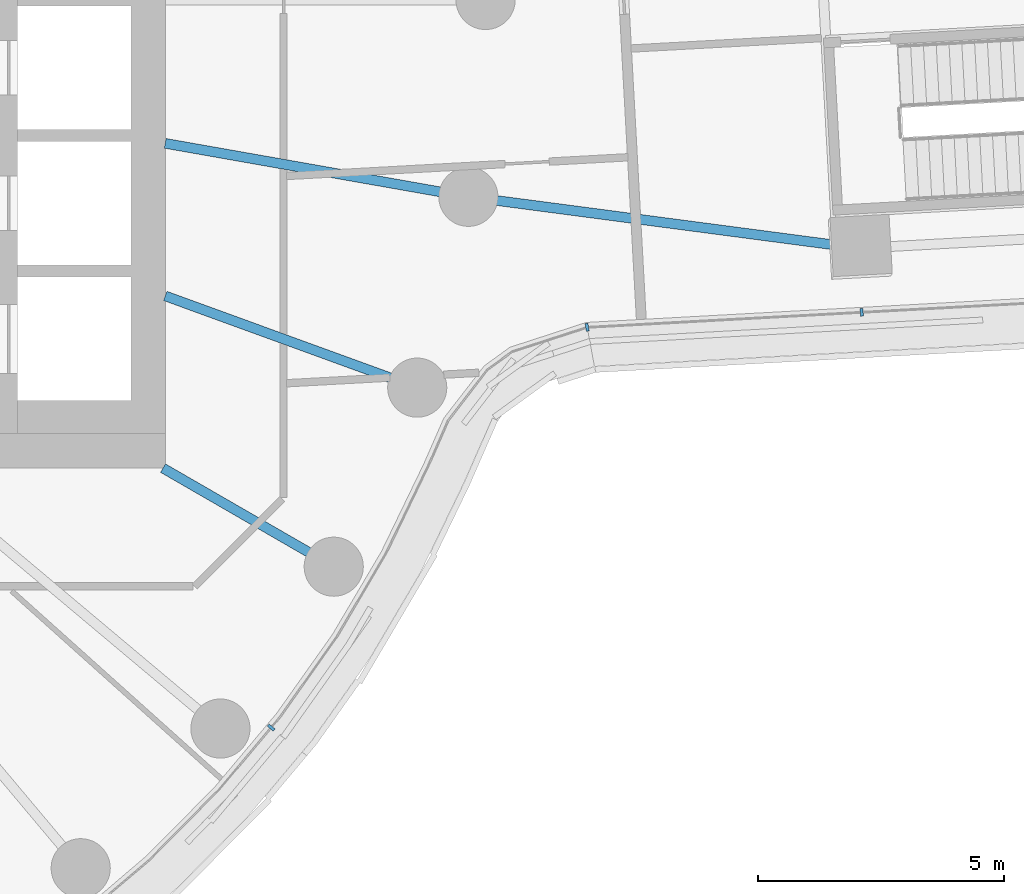
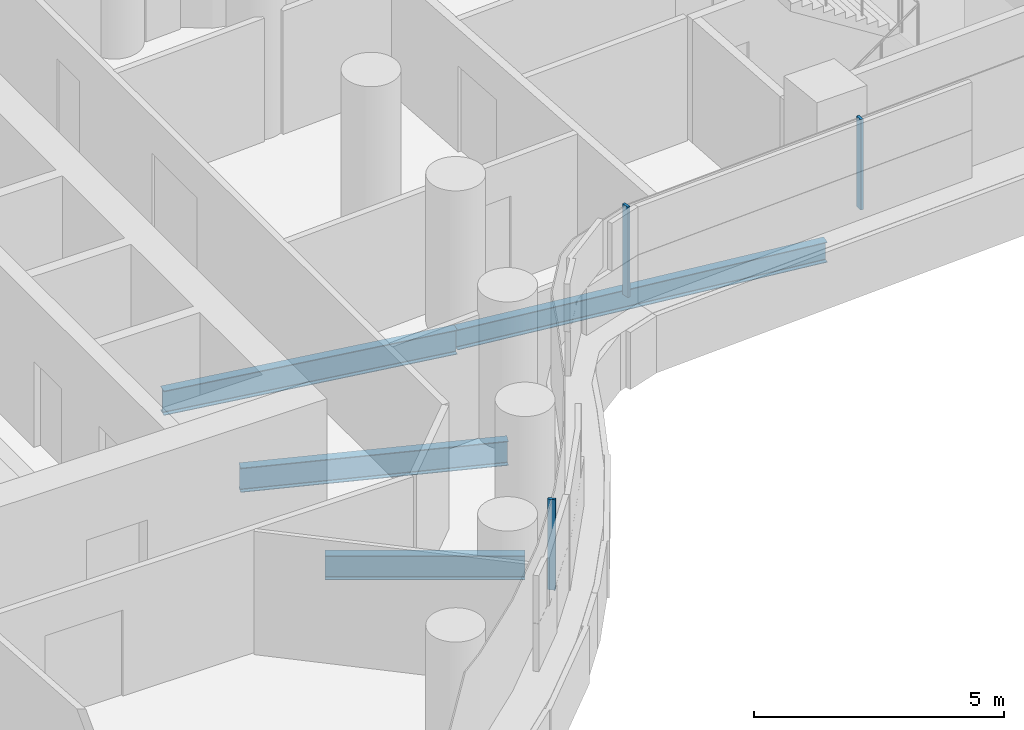
# One storey, part 9 of 31: 4 beams, 3 members, 2 elements without a shape of their own.
"""IFC4 building model written with IfcOpenShell, lengths in metres."""

from ifc_helpers import new_model, si_unit, direction, frame, origin, origin_2d, place, context, subcontext, project, spatial, rectangle, i_section, extrude, material, layer, layer_set, material_profile, profile_set, type_object, element, aggregate, save


model = new_model("IFC4")

# Units and contexts
model_context = context("Model", 3, precision=1e-05, world=origin(), true_north=direction((0.0, 1.0)))
body_context = subcontext(model_context, "Body", "Model", "MODEL_VIEW")
ifc_project = project(units=[si_unit("LENGTHUNIT", "METRE"), si_unit("AREAUNIT", "SQUARE_METRE"), si_unit("VOLUMEUNIT", "CUBIC_METRE"), si_unit("PLANEANGLEUNIT", "RADIAN"), si_unit("MASSUNIT", "GRAM", prefix="KILO")], contexts=[model_context])

# Site, building, storey
site_placement = place(None, origin())
site = spatial("IfcSite", under=ifc_project, at=site_placement, CompositionType="ELEMENT")
building_placement = place(site_placement, origin())
building = spatial("IfcBuilding", under=site, at=building_placement, Name="Tamarind Cross Interchange Tower", CompositionType="ELEMENT")
storey_placement = place(building_placement, frame((0.0, 0.0, 45.25)))
storey = spatial("IfcBuildingStorey", under=building, at=storey_placement, Name="L09", CompositionType="ELEMENT", Elevation=45.25)

# Beams
ifc_material_1 = material(Name="Steel Q355B", Category="steel")
ifc_material_profile_1 = material_profile(ifc_material_1, i_section(OverallWidth=0.198974609375, OverallDepth=0.49609375, WebThickness=0.009033203125, FlangeThickness=0.013916015625, FilletRadius=0.012939453125, at=origin_2d()), Name="HN 496x199x9x14")
ifc_profile_set_1 = profile_set([ifc_material_profile_1], Name="Steel Q355B")
beam_type_1 = type_object("IfcBeamType", Name="Composite beam HN 496x199x9x14 Q355B", PredefinedType="BEAM", material=ifc_profile_set_1)
beam_1_placement = place(storey_placement, frame((30.58837890625, -5.037841796875, -0.387939453125), z_axis=(-0.99146228573, 0.130393772761, 0.0), x_axis=(-0.130393772761, -0.99146228573, 0.0)))
element("IfcBeam", 1, at=beam_1_placement, inside=storey, type_object=beam_type_1, Name="Beam E-linkem", PredefinedType="BEAM", context=body_context, shape_type="SweptSolid", body=[
    extrude(i_section(OverallWidth=0.198974609375, OverallDepth=0.49609375, WebThickness=0.009033203125, FlangeThickness=0.013916015625, FilletRadius=0.012939453125, at=origin_2d()), origin(), (0.0, 0.0, 1.0), 8.006103515625),
])
ifc_material_profile_2 = material_profile(ifc_material_1, i_section(OverallWidth=0.198974609375, OverallDepth=0.595947265625, WebThickness=0.010009765625, FlangeThickness=0.014892578125, FilletRadius=0.012939453125, at=origin_2d()), Name="HN 596x199x10x15")
ifc_profile_set_2 = profile_set([ifc_material_profile_2], Name="Steel Q355B")
beam_type_2 = type_object("IfcBeamType", Name="Composite beam HN 596x199x10x15 Q355B", PredefinedType="BEAM", material=ifc_profile_set_2)
beam_2_placement = place(storey_placement, frame((19.918701171875, -11.5, -0.43798828125), z_axis=(-0.866026010844, 0.49999894854, 0.0), x_axis=(-0.49999894854, -0.866026010844, 0.0)))
element("IfcBeam", 2, at=beam_2_placement, inside=storey, type_object=beam_type_2, Name="Beam HH33", PredefinedType="BEAM", context=body_context, shape_type="SweptSolid", body=[
    extrude(i_section(OverallWidth=0.198974609375, OverallDepth=0.595947265625, WebThickness=0.010009765625, FlangeThickness=0.014892578125, FilletRadius=0.012939453125, at=origin_2d()), origin(), (0.0, 0.0, 1.0), 4.0),
])
beam_3_placement = place(storey_placement, frame((21.613037109375, -7.866455078125, -0.43798828125), z_axis=(-0.939701685589, 0.341995236956, 0.0), x_axis=(-0.341995236956, -0.939701685589, 0.0)))
element("IfcBeam", 3, at=beam_3_placement, inside=storey, type_object=beam_type_2, Name="Beam HH34", PredefinedType="BEAM", context=body_context, shape_type="SweptSolid", body=[
    extrude(i_section(OverallWidth=0.198974609375, OverallDepth=0.595947265625, WebThickness=0.010009765625, FlangeThickness=0.014892578125, FilletRadius=0.012939453125, at=origin_2d()), origin(), (0.0, 0.0, 1.0), 5.441162109375),
])
beam_4_placement = place(storey_placement, frame((22.650634765625, -3.993896484375, -0.43798828125), z_axis=(-0.984809127561, 0.173640382036, 0.0), x_axis=(-0.173640382036, -0.984809127561, 0.0)))
element("IfcBeam", 4, at=beam_4_placement, inside=storey, type_object=beam_type_2, Name="Beam HH35", PredefinedType="BEAM", context=body_context, shape_type="SweptSolid", body=[
    extrude(i_section(OverallWidth=0.198974609375, OverallDepth=0.595947265625, WebThickness=0.010009765625, FlangeThickness=0.014892578125, FilletRadius=0.012939453125, at=origin_2d()), origin(), (0.0, 0.0, 1.0), 6.24560546875),
])

# Curtain wall, member
ifc_material_2 = material(Name="Aluminium 6063-T6", Category="aluminium")
ifc_layer = layer(ifc_material_2, 0.159912109375)
ifc_layer_set = layer_set([ifc_layer], Name="Aluminium 6063-T6")
curtain_wall_type = type_object("IfcCurtainWallType", Name="Office curtain wall, 9.0 m bays", PredefinedType="NOTDEFINED", material=ifc_layer_set)
curtain_wall_1_placement = place(storey_placement, origin())
curtain_wall_1 = element("IfcCurtainWall", 5, at=curtain_wall_1_placement, inside=storey, type_object=curtain_wall_type, Name="CWS-L09-06", PredefinedType="NOTDEFINED")
ifc_material_profile_3 = material_profile(ifc_material_2, rectangle(XDim=0.06005859375, YDim=0.159912109375, at=origin_2d()), Name="Mullion CW1")
ifc_profile_set_3 = profile_set([ifc_material_profile_3], Name="Aluminium 6063-T6")
member_type = type_object("IfcMemberType", Name="Mullion CW1", PredefinedType="MULLION", material=ifc_profile_set_3)
member_1_placement = place(storey_placement, frame((18.648681640625, -14.763916015625, 1.39990234375), z_axis=(0.0, 0.0, 1.0), x_axis=(0.643009266048, 0.765858396687, 0.0)))
member_1 = element("IfcMember", 6, at=member_1_placement, type_object=member_type, Name="CWM-L09-06-02", PredefinedType="MULLION", context=body_context, shape_type="SweptSolid", body=[
    extrude(rectangle(XDim=0.06005859375, YDim=0.159912109375, at=origin_2d()), origin(), (0.0, 0.0, 1.0), 2.210205078125),
])
aggregate(curtain_wall_1, [member_1])

# Curtain wall, members
curtain_wall_2_placement = place(storey_placement, origin())
curtain_wall_2 = element("IfcCurtainWall", 7, at=curtain_wall_2_placement, inside=storey, type_object=curtain_wall_type, Name="CWS-L09-07", PredefinedType="NOTDEFINED")
member_2_placement = place(storey_placement, frame((25.0615234375, -6.642578125, 1.39990234375), z_axis=(0.0, 0.0, 1.0), x_axis=(0.983007338406, 0.183566262262, 0.0)))
member_2 = element("IfcMember", 8, at=member_2_placement, type_object=member_type, Name="CWM-L09-07-00", PredefinedType="MULLION", context=body_context, shape_type="SweptSolid", body=[
    extrude(rectangle(XDim=0.06005859375, YDim=0.159912109375, at=origin_2d()), origin(), (0.0, 0.0, 1.0), 2.210205078125),
])
member_3_placement = place(storey_placement, frame((30.63330078125, -6.33740234375, 1.39990234375), z_axis=(0.0, 0.0, 1.0), x_axis=(0.998504021801, 0.054678317891, 0.0)))
member_3 = element("IfcMember", 9, at=member_3_placement, type_object=member_type, Name="CWM-L09-07-01", PredefinedType="MULLION", context=body_context, shape_type="SweptSolid", body=[
    extrude(rectangle(XDim=0.06005859375, YDim=0.159912109375, at=origin_2d()), origin(), (0.0, 0.0, 1.0), 2.210205078125),
])
aggregate(curtain_wall_2, [member_2, member_3])

save(model, "model.ifc")
